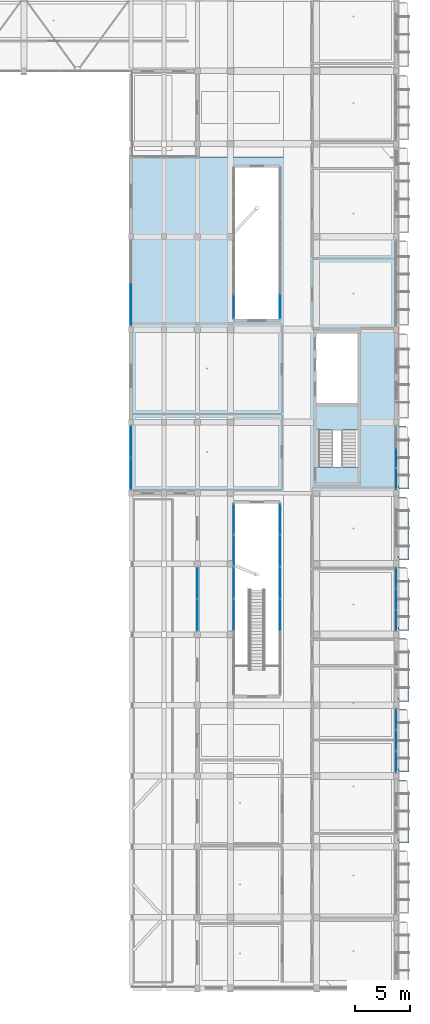
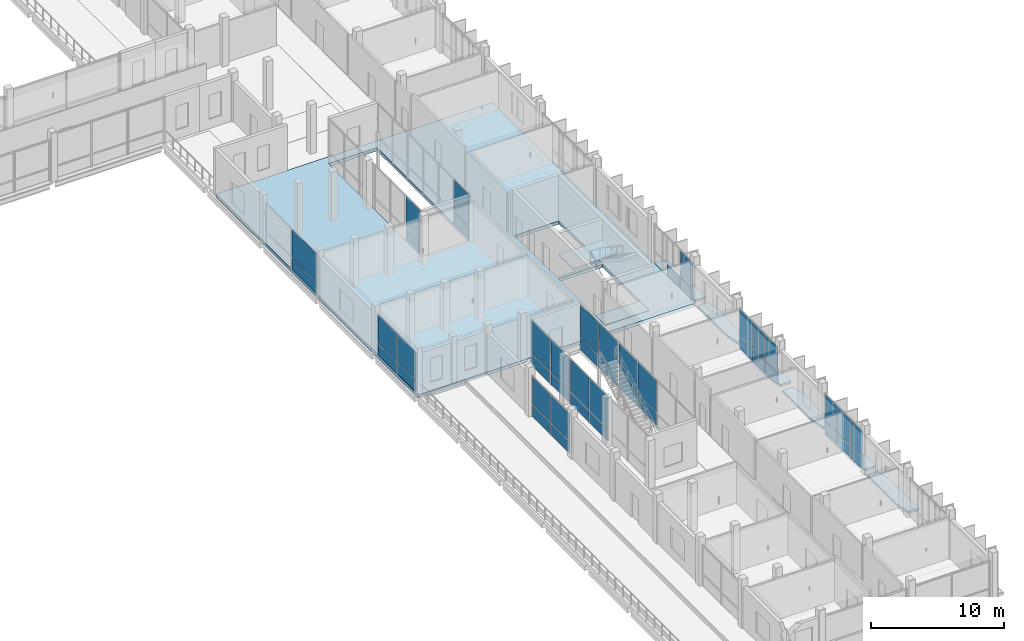
# One storey, part 49 of 95: 45 plates, 9 slabs, 13 elements without a shape of their own.
"""IFC4 building model written with IfcOpenShell, lengths in metres."""

from ifc_helpers import new_model, si_unit, derived_unit, direction, frame, origin, origin_2d, place, context, subcontext, project, spatial, polyline, rectangle, outline, extrude, material, layer, layer_set, type_object, element, aggregate, save


model = new_model("IFC4")

# Units and contexts
model_context = context("Model", 3, precision=1e-05, world=origin(), true_north=direction((0.0, 1.0)))
body_context = subcontext(model_context, "Body", "Model", "MODEL_VIEW")
ifc_project = project(units=[si_unit("LENGTHUNIT", "METRE"), si_unit("AREAUNIT", "SQUARE_METRE"), si_unit("VOLUMEUNIT", "CUBIC_METRE"), si_unit("PLANEANGLEUNIT", "RADIAN"), si_unit("MASSUNIT", "GRAM", prefix="KILO"), derived_unit("THERMALTRANSMITTANCEUNIT", [(si_unit("POWERUNIT", "WATT"), 1), (si_unit("LENGTHUNIT", "METRE"), -2), (si_unit("THERMODYNAMICTEMPERATUREUNIT", "KELVIN"), -1)])], contexts=[model_context])

# Site, building, storey
site_placement = place(None, origin())
site = spatial("IfcSite", under=ifc_project, at=site_placement, CompositionType="ELEMENT")
building_placement = place(site_placement, origin())
building = spatial("IfcBuilding", under=site, at=building_placement, Name="Braskholm Square Health Centre", CompositionType="ELEMENT")
storey_placement = place(building_placement, frame((0.0, 0.0, 4.800048828125)))
storey = spatial("IfcBuildingStorey", under=building, at=storey_placement, Name="L02", CompositionType="ELEMENT", Elevation=4.800048828125)

# Curtain wall, plates
ifc_material_1 = material(Name="Low-E triple insulating glass (VLT 0.64)", Category="glass")
curtain_wall_type_1 = type_object("IfcCurtainWallType", Name="UnitisedCurtainWall6200x3650", PredefinedType="NOTDEFINED", material=ifc_material_1)
curtain_wall_1_placement = place(storey_placement, origin())
curtain_wall_1 = element("IfcCurtainWall", 1, at=curtain_wall_1_placement, inside=storey, type_object=curtain_wall_type_1, Name="East Outer unitised curtain wall CW-L02-0053", PredefinedType="NOTDEFINED")
ifc_material_2 = material(Name="Architectural bronze anodised aluminium", Category="aluminium")
plate_type_1 = type_object("IfcPlateType", Name="CurtainPanelSpandrel1850x1020", PredefinedType="CURTAIN_PANEL", material=ifc_material_2)
plate_1_placement = place(storey_placement, frame((163.800048828125, 24.659912109375, 0.050048828125), z_axis=(0.0, 0.0, 1.0), x_axis=(0.0, 1.0, 0.0)))
plate_1 = element("IfcPlate", 2, at=plate_1_placement, type_object=plate_type_1, Name="CW-L02-0053 spandrel panel 1", PredefinedType="CURTAIN_PANEL", context=body_context, shape_type="SweptSolid", body=[
    extrude(rectangle(XDim=1.823486328125, YDim=0.035888671875, at=origin_2d()), origin(), (0.0, 0.0, 1.0), 1.02001953125),
])
plate_2_placement = place(storey_placement, frame((163.800048828125, 26.60009765625, 0.050048828125), z_axis=(0.0, 0.0, 1.0), x_axis=(0.0, 1.0, 0.0)))
plate_2 = element("IfcPlate", 3, at=plate_2_placement, type_object=plate_type_1, Name="CW-L02-0053 spandrel panel 2", PredefinedType="CURTAIN_PANEL", context=body_context, shape_type="SweptSolid", body=[
    extrude(rectangle(XDim=1.823486328125, YDim=0.035888671875, at=origin_2d()), origin(), (0.0, 0.0, 1.0), 1.02001953125),
])
plate_3_placement = place(storey_placement, frame((163.800048828125, 28.5400390625, 0.050048828125), z_axis=(0.0, 0.0, 1.0), x_axis=(0.0, 1.0, 0.0)))
plate_3 = element("IfcPlate", 4, at=plate_3_placement, type_object=plate_type_1, Name="CW-L02-0053 spandrel panel 3", PredefinedType="CURTAIN_PANEL", context=body_context, shape_type="SweptSolid", body=[
    extrude(rectangle(XDim=1.823486328125, YDim=0.035888671875, at=origin_2d()), origin(), (0.0, 0.0, 1.0), 1.02001953125),
])

curtain_wall_2_placement = place(storey_placement, origin())
curtain_wall_2 = element("IfcCurtainWall", 5, at=curtain_wall_2_placement, inside=storey, type_object=curtain_wall_type_1, Name="East Outer unitised curtain wall CW-L02-0054", PredefinedType="NOTDEFINED")
plate_4_placement = place(storey_placement, frame((163.800048828125, 37.4599609375, 0.050048828125), z_axis=(0.0, 0.0, 1.0), x_axis=(0.0, 1.0, 0.0)))
plate_4 = element("IfcPlate", 6, at=plate_4_placement, type_object=plate_type_1, Name="CW-L02-0054 spandrel panel 1", PredefinedType="CURTAIN_PANEL", context=body_context, shape_type="SweptSolid", body=[
    extrude(rectangle(XDim=1.823486328125, YDim=0.035888671875, at=origin_2d()), origin(), (0.0, 0.0, 1.0), 1.02001953125),
])
plate_5_placement = place(storey_placement, frame((163.800048828125, 39.39990234375, 0.050048828125), z_axis=(0.0, 0.0, 1.0), x_axis=(0.0, 1.0, 0.0)))
plate_5 = element("IfcPlate", 7, at=plate_5_placement, type_object=plate_type_1, Name="CW-L02-0054 spandrel panel 2", PredefinedType="CURTAIN_PANEL", context=body_context, shape_type="SweptSolid", body=[
    extrude(rectangle(XDim=1.823486328125, YDim=0.035888671875, at=origin_2d()), origin(), (0.0, 0.0, 1.0), 1.02001953125),
])
plate_6_placement = place(storey_placement, frame((163.800048828125, 41.340087890625, 0.050048828125), z_axis=(0.0, 0.0, 1.0), x_axis=(0.0, 1.0, 0.0)))
plate_6 = element("IfcPlate", 8, at=plate_6_placement, type_object=plate_type_1, Name="CW-L02-0054 spandrel panel 3", PredefinedType="CURTAIN_PANEL", context=body_context, shape_type="SweptSolid", body=[
    extrude(rectangle(XDim=1.823486328125, YDim=0.035888671875, at=origin_2d()), origin(), (0.0, 0.0, 1.0), 1.02001953125),
])

curtain_wall_3_placement = place(storey_placement, origin())
curtain_wall_3 = element("IfcCurtainWall", 9, at=curtain_wall_3_placement, inside=storey, type_object=curtain_wall_type_1, Name="East Outer unitised curtain wall CW-L02-0055", PredefinedType="NOTDEFINED")
plate_7_placement = place(storey_placement, frame((163.800048828125, 50.260009765625, 0.050048828125), z_axis=(0.0, 0.0, 1.0), x_axis=(0.0, 1.0, 0.0)))
plate_7 = element("IfcPlate", 10, at=plate_7_placement, type_object=plate_type_1, Name="CW-L02-0055 spandrel panel 1", PredefinedType="CURTAIN_PANEL", context=body_context, shape_type="SweptSolid", body=[
    extrude(rectangle(XDim=1.823486328125, YDim=0.035888671875, at=origin_2d()), origin(), (0.0, 0.0, 1.0), 1.02001953125),
])
plate_8_placement = place(storey_placement, frame((163.800048828125, 52.199951171875, 0.050048828125), z_axis=(0.0, 0.0, 1.0), x_axis=(0.0, 1.0, 0.0)))
plate_8 = element("IfcPlate", 11, at=plate_8_placement, type_object=plate_type_1, Name="CW-L02-0055 spandrel panel 2", PredefinedType="CURTAIN_PANEL", context=body_context, shape_type="SweptSolid", body=[
    extrude(rectangle(XDim=1.823486328125, YDim=0.035888671875, at=origin_2d()), origin(), (0.0, 0.0, 1.0), 1.02001953125),
])

# Curtain wall, plate
curtain_wall_type_2 = type_object("IfcCurtainWallType", Name="UnitisedCurtainWall4800x4100", PredefinedType="NOTDEFINED", material=ifc_material_1)
curtain_wall_4_placement = place(storey_placement, origin())
curtain_wall_4 = element("IfcCurtainWall", 12, at=curtain_wall_4_placement, inside=storey, type_object=curtain_wall_type_2, Name="EC2 Court W unitised curtain wall CW-L02-0357", PredefinedType="NOTDEFINED")
plate_type_2 = type_object("IfcPlateType", Name="CurtainPanelSpandrel2150x1020", PredefinedType="CURTAIN_PANEL", material=ifc_material_2)
plate_9_placement = place(storey_placement, frame((149.10009765625, 65.884033203125, 0.050048828125), z_axis=(0.0, 0.0, 1.0), x_axis=(0.0, 1.0, 0.0)))
plate_9 = element("IfcPlate", 13, at=plate_9_placement, type_object=plate_type_2, Name="CW-L02-0357 spandrel panel 1", PredefinedType="CURTAIN_PANEL", context=body_context, shape_type="SweptSolid", body=[
    extrude(rectangle(XDim=2.125244140625, YDim=0.035888671875, at=origin_2d()), origin(), (0.0, 0.0, 1.0), 1.02001953125),
])

curtain_wall_5_placement = place(storey_placement, origin())
curtain_wall_5 = element("IfcCurtainWall", 14, at=curtain_wall_5_placement, inside=storey, type_object=curtain_wall_type_2, Name="EC2 Court E unitised curtain wall CW-L02-0358", PredefinedType="NOTDEFINED")
plate_10_placement = place(storey_placement, frame((153.300048828125, 65.884033203125, 0.050048828125), z_axis=(0.0, 0.0, 1.0), x_axis=(0.0, -1.0, 0.0)))
plate_10 = element("IfcPlate", 15, at=plate_10_placement, type_object=plate_type_2, Name="CW-L02-0358 spandrel panel 2", PredefinedType="CURTAIN_PANEL", context=body_context, shape_type="SweptSolid", body=[
    extrude(rectangle(XDim=2.125244140625, YDim=0.035888671875, at=origin_2d()), origin(), (0.0, 0.0, 1.0), 1.02001953125),
])

# Curtain wall, plates
curtain_wall_type_3 = type_object("IfcCurtainWallType", Name="UnitisedCurtainWall6200x3800", PredefinedType="NOTDEFINED", material=ifc_material_1)
curtain_wall_6_placement = place(storey_placement, origin())
curtain_wall_6 = element("IfcCurtainWall", 16, at=curtain_wall_6_placement, inside=storey, type_object=curtain_wall_type_3, Name="East Valley unitised curtain wall CW-L02-0118", PredefinedType="NOTDEFINED")
plate_type_3 = type_object("IfcPlateType", Name="CurtainPanelSpandrel2750x1020", PredefinedType="CURTAIN_PANEL", material=ifc_material_2)
plate_11_placement = place(storey_placement, frame((145.800048828125, 40.840087890625, 0.050048828125), z_axis=(0.0, 0.0, 1.0), x_axis=(0.0, -1.0, 0.0)))
plate_11 = element("IfcPlate", 17, at=plate_11_placement, type_object=plate_type_3, Name="CW-L02-0118 spandrel panel 1", PredefinedType="CURTAIN_PANEL", context=body_context, shape_type="SweptSolid", body=[
    extrude(rectangle(XDim=2.739990234375, YDim=0.035888671875, at=origin_2d()), origin(), (0.0, 0.0, 1.0), 1.02001953125),
])
plate_12_placement = place(storey_placement, frame((145.800048828125, 37.9599609375, 0.050048828125), z_axis=(0.0, 0.0, 1.0), x_axis=(0.0, -1.0, 0.0)))
plate_12 = element("IfcPlate", 18, at=plate_12_placement, type_object=plate_type_3, Name="CW-L02-0118 spandrel panel 2", PredefinedType="CURTAIN_PANEL", context=body_context, shape_type="SweptSolid", body=[
    extrude(rectangle(XDim=2.739990234375, YDim=0.035888671875, at=origin_2d()), origin(), (0.0, 0.0, 1.0), 1.02001953125),
])

curtain_wall_7_placement = place(storey_placement, origin())
curtain_wall_7 = element("IfcCurtainWall", 19, at=curtain_wall_7_placement, inside=storey, type_object=curtain_wall_type_3, Name="East Valley unitised curtain wall CW-L02-0119", PredefinedType="NOTDEFINED")
plate_13_placement = place(storey_placement, frame((139.800048828125, 53.642578125, 0.050048828125), z_axis=(0.0, 0.0, 1.0), x_axis=(0.0, -1.0, 0.0)))
plate_13 = element("IfcPlate", 20, at=plate_13_placement, type_object=plate_type_3, Name="CW-L02-0119 spandrel panel 1", PredefinedType="CURTAIN_PANEL", context=body_context, shape_type="SweptSolid", body=[
    extrude(rectangle(XDim=2.744873046875, YDim=0.035888671875, at=origin_2d()), origin(), (0.0, 0.0, 1.0), 1.02001953125),
])
plate_14_placement = place(storey_placement, frame((139.800048828125, 50.757568359375, 0.050048828125), z_axis=(0.0, 0.0, 1.0), x_axis=(0.0, -1.0, 0.0)))
plate_14 = element("IfcPlate", 21, at=plate_14_placement, type_object=plate_type_3, Name="CW-L02-0119 spandrel panel 2", PredefinedType="CURTAIN_PANEL", context=body_context, shape_type="SweptSolid", body=[
    extrude(rectangle(XDim=2.744873046875, YDim=0.035888671875, at=origin_2d()), origin(), (0.0, 0.0, 1.0), 1.02001953125),
])

curtain_wall_type_4 = type_object("IfcCurtainWallType", Name="UnitisedCurtainWall6200x4100", PredefinedType="NOTDEFINED", material=ifc_material_1)
curtain_wall_8_placement = place(storey_placement, origin())
curtain_wall_8 = element("IfcCurtainWall", 22, at=curtain_wall_8_placement, inside=storey, type_object=curtain_wall_type_4, Name="EC1 Court W unitised curtain wall CW-L02-0329", PredefinedType="NOTDEFINED")
plate_15_placement = place(storey_placement, frame((149.10009765625, 37.95361328125, 0.050048828125), z_axis=(0.0, 0.0, 1.0), x_axis=(0.0, 1.0, 0.0)))
plate_15 = element("IfcPlate", 23, at=plate_15_placement, type_object=plate_type_3, Name="CW-L02-0329 spandrel panel 1", PredefinedType="CURTAIN_PANEL", context=body_context, shape_type="SweptSolid", body=[
    extrude(rectangle(XDim=2.752197265625, YDim=0.035888671875, at=origin_2d()), origin(), (0.0, 0.0, 1.0), 1.02001953125),
])
plate_16_placement = place(storey_placement, frame((149.10009765625, 40.846435546875, 0.050048828125), z_axis=(0.0, 0.0, 1.0), x_axis=(0.0, 1.0, 0.0)))
plate_16 = element("IfcPlate", 24, at=plate_16_placement, type_object=plate_type_3, Name="CW-L02-0329 spandrel panel 2", PredefinedType="CURTAIN_PANEL", context=body_context, shape_type="SweptSolid", body=[
    extrude(rectangle(XDim=2.752197265625, YDim=0.035888671875, at=origin_2d()), origin(), (0.0, 0.0, 1.0), 1.02001953125),
])

curtain_wall_9_placement = place(storey_placement, origin())
curtain_wall_9 = element("IfcCurtainWall", 25, at=curtain_wall_9_placement, inside=storey, type_object=curtain_wall_type_4, Name="EC1 Court E unitised curtain wall CW-L02-0330", PredefinedType="NOTDEFINED")
plate_17_placement = place(storey_placement, frame((153.300048828125, 40.846435546875, 0.050048828125), z_axis=(0.0, 0.0, 1.0), x_axis=(0.0, -1.0, 0.0)))
plate_17 = element("IfcPlate", 26, at=plate_17_placement, type_object=plate_type_3, Name="CW-L02-0330 spandrel panel 1", PredefinedType="CURTAIN_PANEL", context=body_context, shape_type="SweptSolid", body=[
    extrude(rectangle(XDim=2.752197265625, YDim=0.035888671875, at=origin_2d()), origin(), (0.0, 0.0, 1.0), 1.02001953125),
])
plate_18_placement = place(storey_placement, frame((153.300048828125, 37.95361328125, 0.050048828125), z_axis=(0.0, 0.0, 1.0), x_axis=(0.0, -1.0, 0.0)))
plate_18 = element("IfcPlate", 27, at=plate_18_placement, type_object=plate_type_3, Name="CW-L02-0330 spandrel panel 2", PredefinedType="CURTAIN_PANEL", context=body_context, shape_type="SweptSolid", body=[
    extrude(rectangle(XDim=2.752197265625, YDim=0.035888671875, at=origin_2d()), origin(), (0.0, 0.0, 1.0), 1.02001953125),
])

curtain_wall_type_5 = type_object("IfcCurtainWallType", Name="UnitisedCurtainWall5400x4100", PredefinedType="NOTDEFINED", material=ifc_material_1)
curtain_wall_10_placement = place(storey_placement, origin())
curtain_wall_10 = element("IfcCurtainWall", 28, at=curtain_wall_10_placement, inside=storey, type_object=curtain_wall_type_5, Name="EC1 Court W unitised curtain wall CW-L02-0331", PredefinedType="NOTDEFINED")
plate_19_placement = place(storey_placement, frame((149.10009765625, 43.78564453125, 0.050048828125), z_axis=(0.0, 0.0, 1.0), x_axis=(0.0, 1.0, 0.0)))
plate_19 = element("IfcPlate", 29, at=plate_19_placement, type_object=plate_type_3, Name="CW-L02-0331 spandrel panel 1", PredefinedType="CURTAIN_PANEL", context=body_context, shape_type="SweptSolid", body=[
    extrude(rectangle(XDim=2.689208984375, YDim=0.035888671875, at=origin_2d()), origin(), (0.0, 0.0, 1.0), 1.02001953125),
])
plate_20_placement = place(storey_placement, frame((149.10009765625, 46.6123046875, 0.050048828125), z_axis=(0.0, 0.0, 1.0), x_axis=(0.0, 1.0, 0.0)))
plate_20 = element("IfcPlate", 30, at=plate_20_placement, type_object=plate_type_3, Name="CW-L02-0331 spandrel panel 2", PredefinedType="CURTAIN_PANEL", context=body_context, shape_type="SweptSolid", body=[
    extrude(rectangle(XDim=2.689208984375, YDim=0.035888671875, at=origin_2d()), origin(), (0.0, 0.0, 1.0), 1.02001953125),
])

curtain_wall_11_placement = place(storey_placement, origin())
curtain_wall_11 = element("IfcCurtainWall", 31, at=curtain_wall_11_placement, inside=storey, type_object=curtain_wall_type_5, Name="EC1 Court E unitised curtain wall CW-L02-0332", PredefinedType="NOTDEFINED")
plate_21_placement = place(storey_placement, frame((153.300048828125, 46.6123046875, 0.050048828125), z_axis=(0.0, 0.0, 1.0), x_axis=(0.0, -1.0, 0.0)))
plate_21 = element("IfcPlate", 32, at=plate_21_placement, type_object=plate_type_3, Name="CW-L02-0332 spandrel panel 1", PredefinedType="CURTAIN_PANEL", context=body_context, shape_type="SweptSolid", body=[
    extrude(rectangle(XDim=2.689208984375, YDim=0.035888671875, at=origin_2d()), origin(), (0.0, 0.0, 1.0), 1.02001953125),
])
plate_22_placement = place(storey_placement, frame((153.300048828125, 43.78564453125, 0.050048828125), z_axis=(0.0, 0.0, 1.0), x_axis=(0.0, -1.0, 0.0)))
plate_22 = element("IfcPlate", 33, at=plate_22_placement, type_object=plate_type_3, Name="CW-L02-0332 spandrel panel 2", PredefinedType="CURTAIN_PANEL", context=body_context, shape_type="SweptSolid", body=[
    extrude(rectangle(XDim=2.689208984375, YDim=0.035888671875, at=origin_2d()), origin(), (0.0, 0.0, 1.0), 1.02001953125),
])

# Curtain wall, plate
curtain_wall_12_placement = place(storey_placement, origin())
curtain_wall_12 = element("IfcCurtainWall", 34, at=curtain_wall_12_placement, inside=storey, type_object=curtain_wall_type_3, Name="East Valley unitised curtain wall CW-L02-0120", PredefinedType="NOTDEFINED")
plate_type_4 = type_object("IfcPlateType", Name="CurtainPanelSpandrel3150x1020", PredefinedType="CURTAIN_PANEL", material=ifc_material_2)
plate_23_placement = place(storey_placement, frame((139.800048828125, 66.0634765625, 0.050048828125), z_axis=(0.0, 0.0, 1.0), x_axis=(0.0, -1.0, 0.0)))
plate_23 = element("IfcPlate", 35, at=plate_23_placement, type_object=plate_type_4, Name="CW-L02-0120 spandrel panel 2", PredefinedType="CURTAIN_PANEL", context=body_context, shape_type="SweptSolid", body=[
    extrude(rectangle(XDim=3.684814453125, YDim=0.035888671875, at=origin_2d()), origin(), (0.0, 0.0, 1.0), 1.02001953125),
])

# Plate
plate_type_5 = type_object("IfcPlateType", Name="CurtainPanelVision1850x2520", PredefinedType="CURTAIN_PANEL", material=ifc_material_1)
plate_24_placement = place(storey_placement, frame((163.800048828125, 24.659912109375, 1.169921875), z_axis=(0.0, 0.0, 1.0), x_axis=(0.0, 1.0, 0.0)))
plate_24 = element("IfcPlate", 36, at=plate_24_placement, type_object=plate_type_5, Name="CW-L02-0053 vision glass panel 1", PredefinedType="CURTAIN_PANEL", context=body_context, shape_type="SweptSolid", body=[
    extrude(rectangle(XDim=1.823486328125, YDim=0.035888671875, at=origin_2d()), origin(), (0.0, 0.0, 1.0), 2.3701171875),
])

plate_25_placement = place(storey_placement, frame((163.800048828125, 26.60009765625, 1.169921875), z_axis=(0.0, 0.0, 1.0), x_axis=(0.0, 1.0, 0.0)))
plate_25 = element("IfcPlate", 37, at=plate_25_placement, type_object=plate_type_5, Name="CW-L02-0053 vision glass panel 2", PredefinedType="CURTAIN_PANEL", context=body_context, shape_type="SweptSolid", body=[
    extrude(rectangle(XDim=1.823486328125, YDim=0.035888671875, at=origin_2d()), origin(), (0.0, 0.0, 1.0), 2.3701171875),
])

plate_26_placement = place(storey_placement, frame((163.800048828125, 28.5400390625, 1.169921875), z_axis=(0.0, 0.0, 1.0), x_axis=(0.0, 1.0, 0.0)))
plate_26 = element("IfcPlate", 38, at=plate_26_placement, type_object=plate_type_5, Name="CW-L02-0053 vision glass panel 3", PredefinedType="CURTAIN_PANEL", context=body_context, shape_type="SweptSolid", body=[
    extrude(rectangle(XDim=1.823486328125, YDim=0.035888671875, at=origin_2d()), origin(), (0.0, 0.0, 1.0), 2.3701171875),
])

aggregate(curtain_wall_1, [plate_1, plate_24, plate_2, plate_25, plate_3, plate_26])

plate_27_placement = place(storey_placement, frame((163.800048828125, 37.4599609375, 1.169921875), z_axis=(0.0, 0.0, 1.0), x_axis=(0.0, 1.0, 0.0)))
plate_27 = element("IfcPlate", 39, at=plate_27_placement, type_object=plate_type_5, Name="CW-L02-0054 vision glass panel 1", PredefinedType="CURTAIN_PANEL", context=body_context, shape_type="SweptSolid", body=[
    extrude(rectangle(XDim=1.823486328125, YDim=0.035888671875, at=origin_2d()), origin(), (0.0, 0.0, 1.0), 2.3701171875),
])

plate_28_placement = place(storey_placement, frame((163.800048828125, 39.39990234375, 1.169921875), z_axis=(0.0, 0.0, 1.0), x_axis=(0.0, 1.0, 0.0)))
plate_28 = element("IfcPlate", 40, at=plate_28_placement, type_object=plate_type_5, Name="CW-L02-0054 vision glass panel 2", PredefinedType="CURTAIN_PANEL", context=body_context, shape_type="SweptSolid", body=[
    extrude(rectangle(XDim=1.823486328125, YDim=0.035888671875, at=origin_2d()), origin(), (0.0, 0.0, 1.0), 2.3701171875),
])

plate_29_placement = place(storey_placement, frame((163.800048828125, 41.340087890625, 1.169921875), z_axis=(0.0, 0.0, 1.0), x_axis=(0.0, 1.0, 0.0)))
plate_29 = element("IfcPlate", 41, at=plate_29_placement, type_object=plate_type_5, Name="CW-L02-0054 vision glass panel 3", PredefinedType="CURTAIN_PANEL", context=body_context, shape_type="SweptSolid", body=[
    extrude(rectangle(XDim=1.823486328125, YDim=0.035888671875, at=origin_2d()), origin(), (0.0, 0.0, 1.0), 2.3701171875),
])

aggregate(curtain_wall_2, [plate_4, plate_27, plate_5, plate_28, plate_6, plate_29])

plate_30_placement = place(storey_placement, frame((163.800048828125, 50.260009765625, 1.169921875), z_axis=(0.0, 0.0, 1.0), x_axis=(0.0, 1.0, 0.0)))
plate_30 = element("IfcPlate", 42, at=plate_30_placement, type_object=plate_type_5, Name="CW-L02-0055 vision glass panel 1", PredefinedType="CURTAIN_PANEL", context=body_context, shape_type="SweptSolid", body=[
    extrude(rectangle(XDim=1.823486328125, YDim=0.035888671875, at=origin_2d()), origin(), (0.0, 0.0, 1.0), 2.3701171875),
])

aggregate(curtain_wall_3, [plate_7, plate_30, plate_8])

plate_type_6 = type_object("IfcPlateType", Name="CurtainPanelVision2150x2950", PredefinedType="CURTAIN_PANEL", material=ifc_material_1)
plate_31_placement = place(storey_placement, frame((149.10009765625, 65.884033203125, 1.169921875), z_axis=(0.0, 0.0, 1.0), x_axis=(0.0, 1.0, 0.0)))
plate_31 = element("IfcPlate", 43, at=plate_31_placement, type_object=plate_type_6, Name="CW-L02-0357 vision glass panel 1", PredefinedType="CURTAIN_PANEL", context=body_context, shape_type="SweptSolid", body=[
    extrude(rectangle(XDim=2.125244140625, YDim=0.035888671875, at=origin_2d()), origin(), (0.0, 0.0, 1.0), 2.919921875),
])

aggregate(curtain_wall_4, [plate_9, plate_31])

plate_32_placement = place(storey_placement, frame((153.300048828125, 65.884033203125, 1.169921875), z_axis=(0.0, 0.0, 1.0), x_axis=(0.0, -1.0, 0.0)))
plate_32 = element("IfcPlate", 44, at=plate_32_placement, type_object=plate_type_6, Name="CW-L02-0358 vision glass panel 2", PredefinedType="CURTAIN_PANEL", context=body_context, shape_type="SweptSolid", body=[
    extrude(rectangle(XDim=2.125244140625, YDim=0.035888671875, at=origin_2d()), origin(), (0.0, 0.0, 1.0), 2.919921875),
])

aggregate(curtain_wall_5, [plate_10, plate_32])

plate_type_7 = type_object("IfcPlateType", Name="CurtainPanelVision2750x2520", PredefinedType="CURTAIN_PANEL", material=ifc_material_1)
plate_33_placement = place(storey_placement, frame((145.800048828125, 40.840087890625, 1.169921875), z_axis=(0.0, 0.0, 1.0), x_axis=(0.0, -1.0, 0.0)))
plate_33 = element("IfcPlate", 45, at=plate_33_placement, type_object=plate_type_7, Name="CW-L02-0118 vision glass panel 1", PredefinedType="CURTAIN_PANEL", context=body_context, shape_type="SweptSolid", body=[
    extrude(rectangle(XDim=2.739990234375, YDim=0.035888671875, at=origin_2d()), origin(), (0.0, 0.0, 1.0), 2.510009765625),
])

plate_34_placement = place(storey_placement, frame((145.800048828125, 37.9599609375, 1.169921875), z_axis=(0.0, 0.0, 1.0), x_axis=(0.0, -1.0, 0.0)))
plate_34 = element("IfcPlate", 46, at=plate_34_placement, type_object=plate_type_7, Name="CW-L02-0118 vision glass panel 2", PredefinedType="CURTAIN_PANEL", context=body_context, shape_type="SweptSolid", body=[
    extrude(rectangle(XDim=2.739990234375, YDim=0.035888671875, at=origin_2d()), origin(), (0.0, 0.0, 1.0), 2.510009765625),
])

aggregate(curtain_wall_6, [plate_11, plate_33, plate_12, plate_34])

plate_35_placement = place(storey_placement, frame((139.800048828125, 53.642578125, 1.169921875), z_axis=(0.0, 0.0, 1.0), x_axis=(0.0, -1.0, 0.0)))
plate_35 = element("IfcPlate", 47, at=plate_35_placement, type_object=plate_type_7, Name="CW-L02-0119 vision glass panel 1", PredefinedType="CURTAIN_PANEL", context=body_context, shape_type="SweptSolid", body=[
    extrude(rectangle(XDim=2.744873046875, YDim=0.035888671875, at=origin_2d()), origin(), (0.0, 0.0, 1.0), 2.510009765625),
])

plate_36_placement = place(storey_placement, frame((139.800048828125, 50.757568359375, 1.169921875), z_axis=(0.0, 0.0, 1.0), x_axis=(0.0, -1.0, 0.0)))
plate_36 = element("IfcPlate", 48, at=plate_36_placement, type_object=plate_type_7, Name="CW-L02-0119 vision glass panel 2", PredefinedType="CURTAIN_PANEL", context=body_context, shape_type="SweptSolid", body=[
    extrude(rectangle(XDim=2.744873046875, YDim=0.035888671875, at=origin_2d()), origin(), (0.0, 0.0, 1.0), 2.510009765625),
])

aggregate(curtain_wall_7, [plate_13, plate_35, plate_14, plate_36])

plate_type_8 = type_object("IfcPlateType", Name="CurtainPanelVision2750x2950", PredefinedType="CURTAIN_PANEL", material=ifc_material_1)
plate_37_placement = place(storey_placement, frame((149.10009765625, 37.95361328125, 1.169921875), z_axis=(0.0, 0.0, 1.0), x_axis=(0.0, 1.0, 0.0)))
plate_37 = element("IfcPlate", 49, at=plate_37_placement, type_object=plate_type_8, Name="CW-L02-0329 vision glass panel 1", PredefinedType="CURTAIN_PANEL", context=body_context, shape_type="SweptSolid", body=[
    extrude(rectangle(XDim=2.752197265625, YDim=0.035888671875, at=origin_2d()), origin(), (0.0, 0.0, 1.0), 2.969970703125),
])

plate_38_placement = place(storey_placement, frame((149.10009765625, 40.846435546875, 1.169921875), z_axis=(0.0, 0.0, 1.0), x_axis=(0.0, 1.0, 0.0)))
plate_38 = element("IfcPlate", 50, at=plate_38_placement, type_object=plate_type_8, Name="CW-L02-0329 vision glass panel 2", PredefinedType="CURTAIN_PANEL", context=body_context, shape_type="SweptSolid", body=[
    extrude(rectangle(XDim=2.752197265625, YDim=0.035888671875, at=origin_2d()), origin(), (0.0, 0.0, 1.0), 2.969970703125),
])

aggregate(curtain_wall_8, [plate_15, plate_37, plate_16, plate_38])

plate_39_placement = place(storey_placement, frame((153.300048828125, 40.846435546875, 1.169921875), z_axis=(0.0, 0.0, 1.0), x_axis=(0.0, -1.0, 0.0)))
plate_39 = element("IfcPlate", 51, at=plate_39_placement, type_object=plate_type_8, Name="CW-L02-0330 vision glass panel 1", PredefinedType="CURTAIN_PANEL", context=body_context, shape_type="SweptSolid", body=[
    extrude(rectangle(XDim=2.752197265625, YDim=0.035888671875, at=origin_2d()), origin(), (0.0, 0.0, 1.0), 2.969970703125),
])

plate_40_placement = place(storey_placement, frame((153.300048828125, 37.95361328125, 1.169921875), z_axis=(0.0, 0.0, 1.0), x_axis=(0.0, -1.0, 0.0)))
plate_40 = element("IfcPlate", 52, at=plate_40_placement, type_object=plate_type_8, Name="CW-L02-0330 vision glass panel 2", PredefinedType="CURTAIN_PANEL", context=body_context, shape_type="SweptSolid", body=[
    extrude(rectangle(XDim=2.752197265625, YDim=0.035888671875, at=origin_2d()), origin(), (0.0, 0.0, 1.0), 2.969970703125),
])

aggregate(curtain_wall_9, [plate_17, plate_39, plate_18, plate_40])

plate_41_placement = place(storey_placement, frame((149.10009765625, 43.78564453125, 1.169921875), z_axis=(0.0, 0.0, 1.0), x_axis=(0.0, 1.0, 0.0)))
plate_41 = element("IfcPlate", 53, at=plate_41_placement, type_object=plate_type_8, Name="CW-L02-0331 vision glass panel 1", PredefinedType="CURTAIN_PANEL", context=body_context, shape_type="SweptSolid", body=[
    extrude(rectangle(XDim=2.689208984375, YDim=0.035888671875, at=origin_2d()), origin(), (0.0, 0.0, 1.0), 2.969970703125),
])

plate_42_placement = place(storey_placement, frame((149.10009765625, 46.6123046875, 1.169921875), z_axis=(0.0, 0.0, 1.0), x_axis=(0.0, 1.0, 0.0)))
plate_42 = element("IfcPlate", 54, at=plate_42_placement, type_object=plate_type_8, Name="CW-L02-0331 vision glass panel 2", PredefinedType="CURTAIN_PANEL", context=body_context, shape_type="SweptSolid", body=[
    extrude(rectangle(XDim=2.689208984375, YDim=0.035888671875, at=origin_2d()), origin(), (0.0, 0.0, 1.0), 2.969970703125),
])

aggregate(curtain_wall_10, [plate_19, plate_41, plate_20, plate_42])

plate_43_placement = place(storey_placement, frame((153.300048828125, 46.6123046875, 1.169921875), z_axis=(0.0, 0.0, 1.0), x_axis=(0.0, -1.0, 0.0)))
plate_43 = element("IfcPlate", 55, at=plate_43_placement, type_object=plate_type_8, Name="CW-L02-0332 vision glass panel 1", PredefinedType="CURTAIN_PANEL", context=body_context, shape_type="SweptSolid", body=[
    extrude(rectangle(XDim=2.689208984375, YDim=0.035888671875, at=origin_2d()), origin(), (0.0, 0.0, 1.0), 2.969970703125),
])

plate_44_placement = place(storey_placement, frame((153.300048828125, 43.78564453125, 1.169921875), z_axis=(0.0, 0.0, 1.0), x_axis=(0.0, -1.0, 0.0)))
plate_44 = element("IfcPlate", 56, at=plate_44_placement, type_object=plate_type_8, Name="CW-L02-0332 vision glass panel 2", PredefinedType="CURTAIN_PANEL", context=body_context, shape_type="SweptSolid", body=[
    extrude(rectangle(XDim=2.689208984375, YDim=0.035888671875, at=origin_2d()), origin(), (0.0, 0.0, 1.0), 2.969970703125),
])

aggregate(curtain_wall_11, [plate_21, plate_43, plate_22, plate_44])

plate_type_9 = type_object("IfcPlateType", Name="CurtainPanelVision3150x2520", PredefinedType="CURTAIN_PANEL", material=ifc_material_1)
plate_45_placement = place(storey_placement, frame((139.800048828125, 66.0634765625, 1.169921875), z_axis=(0.0, 0.0, 1.0), x_axis=(0.0, -1.0, 0.0)))
plate_45 = element("IfcPlate", 57, at=plate_45_placement, type_object=plate_type_9, Name="CW-L02-0120 vision glass panel 2", PredefinedType="CURTAIN_PANEL", context=body_context, shape_type="SweptSolid", body=[
    extrude(rectangle(XDim=3.684814453125, YDim=0.035888671875, at=origin_2d()), origin(), (0.0, 0.0, 1.0), 2.510009765625),
])

aggregate(curtain_wall_12, [plate_23, plate_45])

# Slabs
ifc_material_3 = material(Name="Precast concrete C40/50 architectural white", Category="concrete")
ifc_layer_1 = layer(ifc_material_3, 0.2099609375)
ifc_layer_set_1 = layer_set([ifc_layer_1], Name="Precast concrete C40/50 architectural white")
slab_type_1 = type_object("IfcSlabType", Name="PitchedAndCrownRoofSlab150", PredefinedType="ROOF", material=ifc_layer_set_1)
slab_1_placement = place(storey_placement, frame((0.0, 0.0, -0.2099609375)))
element("IfcSlab", 58, at=slab_1_placement, inside=storey, type_object=slab_type_1, Name="Level L02 East precast planter ledge 067", PredefinedType="ROOF", context=body_context, shape_type="SweptSolid", body=[
    extrude(outline(polyline([(164.052978515625, 17.35009765625), (164.949951171875, 17.35009765625), (164.949951171875, 21.7958984375), (164.697021484375, 23.050048828125), (163.800048828125, 23.050048828125), (163.800048828125, 18.60400390625), (164.052978515625, 17.35009765625)])), origin(), (0.0, 0.0, 1.0), 0.2099609375),
])
slab_2_placement = place(storey_placement, frame((0.0, 0.0, -0.2099609375)))
element("IfcSlab", 59, at=slab_2_placement, inside=storey, type_object=slab_type_1, Name="Level L02 East precast planter ledge 068", PredefinedType="ROOF", context=body_context, shape_type="SweptSolid", body=[
    extrude(outline(polyline([(164.052978515625, 23.75), (164.949951171875, 23.75), (164.949951171875, 28.196044921875), (164.697021484375, 29.449951171875), (163.800048828125, 29.449951171875), (163.800048828125, 25.00390625), (164.052978515625, 23.75)])), origin(), (0.0, 0.0, 1.0), 0.2099609375),
])
slab_3_placement = place(storey_placement, frame((0.0, 0.0, -0.2099609375)))
element("IfcSlab", 60, at=slab_3_placement, inside=storey, type_object=slab_type_1, Name="Level L02 East precast planter ledge 069", PredefinedType="ROOF", context=body_context, shape_type="SweptSolid", body=[
    extrude(outline(polyline([(164.052978515625, 30.14990234375), (164.949951171875, 30.14990234375), (164.949951171875, 34.595947265625), (164.697021484375, 35.85009765625), (163.800048828125, 35.85009765625), (163.800048828125, 31.404052734375), (164.052978515625, 30.14990234375)])), origin(), (0.0, 0.0, 1.0), 0.2099609375),
])
slab_4_placement = place(storey_placement, frame((0.0, 0.0, -0.2099609375)))
element("IfcSlab", 61, at=slab_4_placement, inside=storey, type_object=slab_type_1, Name="Level L02 East precast planter ledge 070", PredefinedType="ROOF", context=body_context, shape_type="SweptSolid", body=[
    extrude(outline(polyline([(164.052978515625, 36.550048828125), (164.949951171875, 36.550048828125), (164.949951171875, 40.99609375), (164.697021484375, 42.25), (163.800048828125, 42.25), (163.800048828125, 37.803955078125), (164.052978515625, 36.550048828125)])), origin(), (0.0, 0.0, 1.0), 0.2099609375),
])
slab_5_placement = place(storey_placement, frame((0.0, 0.0, -0.2099609375)))
element("IfcSlab", 62, at=slab_5_placement, inside=storey, type_object=slab_type_1, Name="Level L02 East precast planter ledge 071", PredefinedType="ROOF", context=body_context, shape_type="SweptSolid", body=[
    extrude(outline(polyline([(164.052978515625, 42.949951171875), (164.949951171875, 42.949951171875), (164.949951171875, 47.39599609375), (164.697021484375, 48.64990234375), (163.800048828125, 48.64990234375), (163.800048828125, 44.2041015625), (164.052978515625, 42.949951171875)])), origin(), (0.0, 0.0, 1.0), 0.2099609375),
])
slab_6_placement = place(storey_placement, frame((0.0, 0.0, -0.2099609375)))
element("IfcSlab", 63, at=slab_6_placement, inside=storey, type_object=slab_type_1, Name="Level L02 East precast planter ledge 072", PredefinedType="ROOF", context=body_context, shape_type="SweptSolid", body=[
    extrude(outline(polyline([(164.052978515625, 49.35009765625), (164.949951171875, 49.35009765625), (164.949951171875, 53.7958984375), (164.697021484375, 55.050048828125), (163.800048828125, 55.050048828125), (163.800048828125, 50.60400390625), (164.052978515625, 49.35009765625)])), origin(), (0.0, 0.0, 1.0), 0.2099609375),
])

# Stair, slabs
ifc_material_4 = material(Name="Concrete C35/45 (f'c = 35 MPa)", Category="concrete")
stair_type = type_object("IfcStairType", Name="ExitReturnStairL02", PredefinedType="HALF_TURN_STAIR", material=ifc_material_4)
stair_placement = place(storey_placement, origin())
stair = element("IfcStair", 64, at=stair_placement, inside=storey, type_object=stair_type, Name="Enclosed exit stair ST-04 L02 to L03", PredefinedType="HALF_TURN_STAIR")
ifc_layer_2 = layer(ifc_material_4, 0.179931640625)
ifc_layer_set_2 = layer_set([ifc_layer_2], Name="Concrete C35/45 (f'c = 35 MPa)")
slab_type_2 = type_object("IfcSlabType", Name="StairLandingSlab180", PredefinedType="LANDING", material=ifc_layer_set_2)
slab_7_placement = place(storey_placement, frame((0.0, 0.0, 2.070068359375)))
slab_7 = element("IfcSlab", 65, at=slab_7_placement, type_object=slab_type_2, Name="Stair ST-04 half-landing L02", PredefinedType="LANDING", context=body_context, shape_type="SweptSolid", body=[
    extrude(outline(polyline([(156.550048828125, 54.719970703125), (160.35009765625, 54.719970703125), (160.35009765625, 56.89990234375), (156.550048828125, 56.89990234375), (156.550048828125, 54.719970703125)])), origin(), (0.0, 0.0, 1.0), 0.179931640625),
])
slab_8_placement = place(storey_placement, frame((0.0, 0.0, -0.179931640625)))
slab_8 = element("IfcSlab", 66, at=slab_8_placement, type_object=slab_type_2, Name="Stair ST-04 floor landing L02", PredefinedType="LANDING", context=body_context, shape_type="SweptSolid", body=[
    extrude(outline(polyline([(156.550048828125, 49.89990234375), (160.35009765625, 49.89990234375), (160.35009765625, 51.360107421875), (156.550048828125, 51.360107421875), (156.550048828125, 49.89990234375)])), origin(), (0.0, 0.0, 1.0), 0.179931640625),
])
aggregate(stair, [slab_7, slab_8])

# Slab
ifc_layer_3 = layer(ifc_material_4, 0.300048828125)
ifc_layer_set_3 = layer_set([ifc_layer_3], Name="Concrete C35/45 (f'c = 35 MPa)")
slab_type_3 = type_object("IfcSlabType", Name="TwoWayClinicalFlatSlab300", PredefinedType="FLOOR", material=ifc_layer_set_3)
slab_9_placement = place(storey_placement, frame((0.0, 0.0, -0.300048828125)))
element("IfcSlab", 67, at=slab_9_placement, inside=storey, type_object=slab_type_3, Name="Level L02 V4E East consulting wing slab", PredefinedType="FLOOR", context=body_context, shape_type="SweptSolid", body=[
    extrude(outline(polyline([(139.800048828125, 49.0), (163.800048828125, 49.0), (163.800048828125, 79.39990234375), (139.800048828125, 79.39990234375), (139.800048828125, 49.0)]), holes=[polyline([(156.530029296875, 49.8798828125), (160.3701171875, 49.8798828125), (160.3701171875, 56.919921875), (156.530029296875, 56.919921875), (156.530029296875, 49.8798828125)]), polyline([(156.530029296875, 57.14990234375), (160.3701171875, 57.14990234375), (160.3701171875, 63.449951171875), (156.530029296875, 63.449951171875), (156.530029296875, 57.14990234375)]), polyline([(149.10009765625, 64.60009765625), (153.300048828125, 64.60009765625), (153.300048828125, 78.60009765625), (149.10009765625, 78.60009765625), (149.10009765625, 64.60009765625)])]), origin(), (0.0, 0.0, 1.0), 0.300048828125),
])

save(model, "model.ifc")
